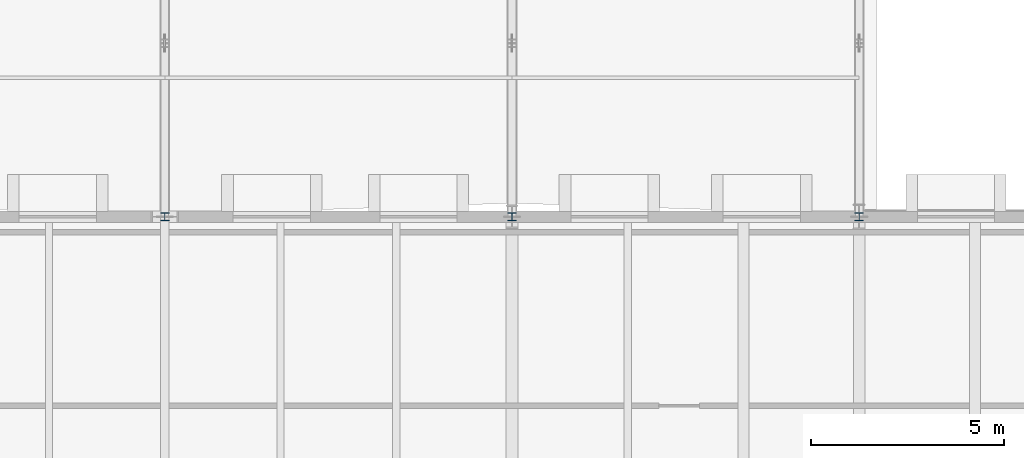
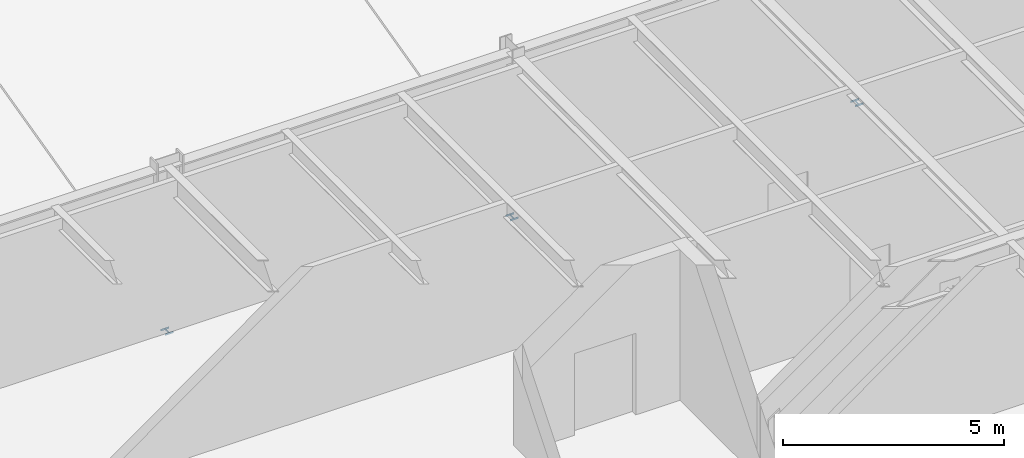
# One storey, part 40 of 67: 3 members.
"""IFC4 building model written with IfcOpenShell, lengths in metres."""

from ifc_helpers import new_model, si_unit, direction, frame, origin, origin_2d, place, context, subcontext, project, spatial, i_section, extrude, material, material_profile, profile_set, type_object, element, save


model = new_model("IFC4")

# Units and contexts
model_context = context("Model", 3, precision=1e-05, world=origin(), true_north=direction((0.0, 1.0)))
body_context = subcontext(model_context, "Body", "Model", "MODEL_VIEW")
ifc_project = project(units=[si_unit("LENGTHUNIT", "METRE"), si_unit("AREAUNIT", "SQUARE_METRE"), si_unit("VOLUMEUNIT", "CUBIC_METRE"), si_unit("PLANEANGLEUNIT", "RADIAN"), si_unit("MASSUNIT", "GRAM", prefix="KILO")], contexts=[model_context])

# Site, building, storey
site_placement = place(None, origin())
site = spatial("IfcSite", under=ifc_project, at=site_placement, CompositionType="ELEMENT")
building_placement = place(site_placement, origin())
building = spatial("IfcBuilding", under=site, at=building_placement, Name="Montelvaro Courts of Justice", CompositionType="ELEMENT")
storey_placement = place(building_placement, frame((0.0, 0.0, 18.89990234375)))
storey = spatial("IfcBuildingStorey", under=building, at=storey_placement, Name="L04", CompositionType="ELEMENT", Elevation=18.89990234375)

# Members
ifc_material = material(Name="Steel S355", Category="steel")
ifc_material_profile = material_profile(ifc_material, i_section(OverallWidth=0.219970703125, OverallDepth=0.2099609375, WebThickness=0.007080078125, FlangeThickness=0.010986328125, at=origin_2d()), Name="HEA 220")
ifc_profile_set = profile_set([ifc_material_profile], Name="Steel S355")
member_type = type_object("IfcMemberType", Name="Mem_HEA220_Post", PredefinedType="POST", material=ifc_profile_set)
for number, where, z_axis, x_axis, name in (
    (1, (54.0, 24.0, -0.2998046875), (0.0, 0.0, -1.0), (1.0, 0.0, 0.0), "Roof Truss Post MP-03 ROOF-V3-VTR05-V0"),
    (2, (63.0, 24.0, -0.2998046875), (0.0, 0.0, -1.0), (1.0, 0.0, 0.0), "Roof Truss Post MP-03 ROOF-V3-VTR06-V0"),
    (3, (72.0, 24.0, -0.2998046875), (0.0, 0.0, -1.0), (1.0, 0.0, 0.0), "Roof Truss Post MP-03 ROOF-V3-VTR07-V0"),
):
    element("IfcMember", number, at=place(storey_placement, frame(where, z_axis=z_axis, x_axis=x_axis)), inside=storey, type_object=member_type, Name=name, PredefinedType="POST", context=body_context, shape_type="SweptSolid", body=[
        extrude(i_section(OverallWidth=0.219970703125, OverallDepth=0.2099609375, WebThickness=0.007080078125, FlangeThickness=0.010986328125, at=origin_2d()), origin(), (0.0, 0.0, 1.0), 0.050048828125),
    ])

save(model, "model.ifc")
